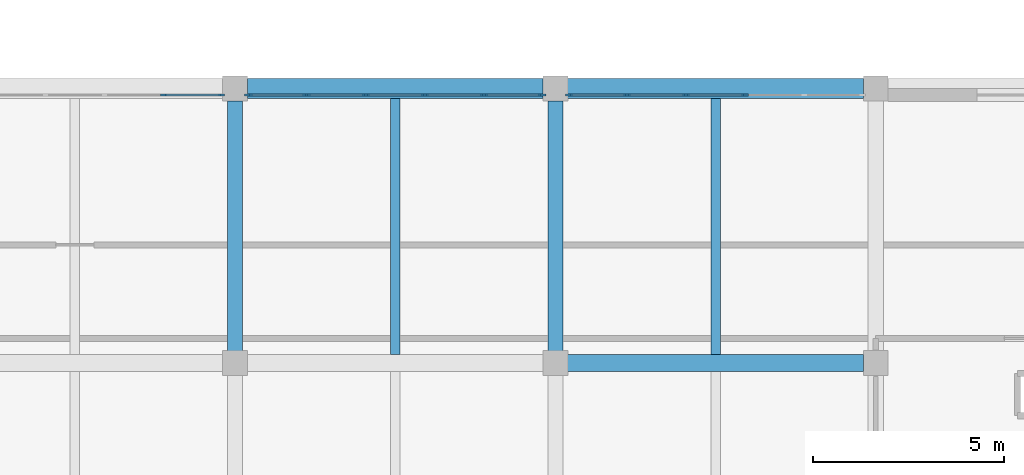
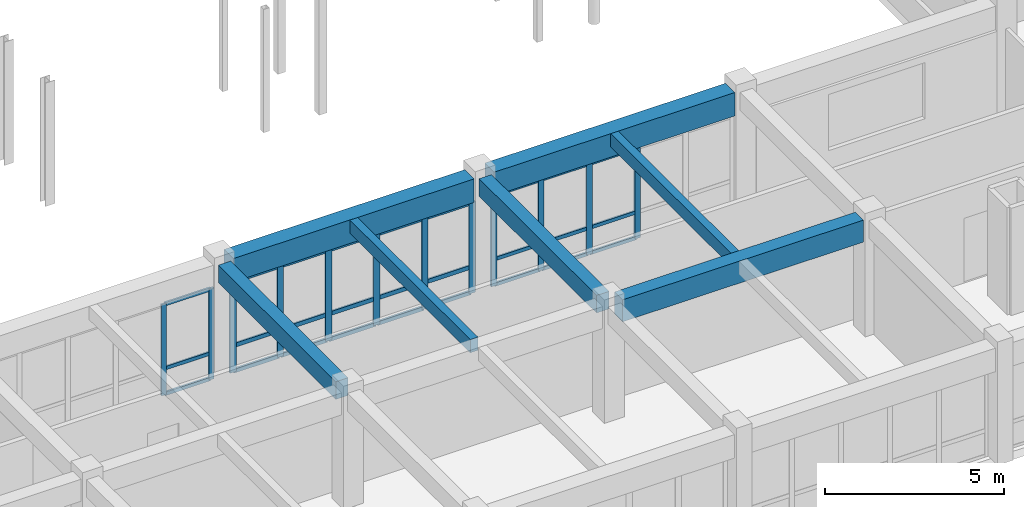
# One storey, part 60 of 147: 39 members, 7 beams, 3 elements without a shape of their own.
"""IFC4 building model written with IfcOpenShell, lengths in metres."""

from ifc_helpers import new_model, si_unit, direction, frame, origin, origin_2d, place, context, subcontext, project, spatial, rectangle, extrude, material, material_profile, profile_set, type_object, element, aggregate, save


model = new_model("IFC4")

# Units and contexts
model_context = context("Model", 3, precision=1e-05, world=origin(), true_north=direction((0.0, 1.0)))
body_context = subcontext(model_context, "Body", "Model", "MODEL_VIEW")
ifc_project = project(units=[si_unit("LENGTHUNIT", "METRE"), si_unit("AREAUNIT", "SQUARE_METRE"), si_unit("VOLUMEUNIT", "CUBIC_METRE"), si_unit("PLANEANGLEUNIT", "RADIAN"), si_unit("MASSUNIT", "GRAM", prefix="KILO")], contexts=[model_context])

# Site, building, storey
site_placement = place(None, origin())
site = spatial("IfcSite", under=ifc_project, at=site_placement, CompositionType="ELEMENT")
building_placement = place(site_placement, origin())
building = spatial("IfcBuilding", under=site, at=building_placement, Name="Malvenik Polytechnic", CompositionType="ELEMENT")
storey_placement = place(building_placement, frame((0.0, 0.0, 5.10009765625)))
storey = spatial("IfcBuildingStorey", under=building, at=storey_placement, Name="L01", CompositionType="ELEMENT", Elevation=5.10009765625)

# Curtain wall, members
ifc_material_1 = material(Name="Anodised aluminium 6060-T6", Category="aluminium")
curtain_wall_type = type_object("IfcCurtainWallType", Name="ARC-CW-CW-02", PredefinedType="NOTDEFINED", material=ifc_material_1)
curtain_wall_1_placement = place(storey_placement, origin())
curtain_wall_1 = element("IfcCurtainWall", 1, at=curtain_wall_1_placement, inside=storey, type_object=curtain_wall_type, Name="Unitised Curtain Wall CW-02 L01 #35", PredefinedType="NOTDEFINED")
ifc_material_2 = material(Name="Anodised aluminium", Category="aluminium")
ifc_material_profile_1 = material_profile(ifc_material_2, rectangle(XDim=0.06005859375, YDim=0.159912109375, at=origin_2d()), Name="ALU MULLION 60x160")
ifc_profile_set_1 = profile_set([ifc_material_profile_1], Name="Anodised aluminium")
member_type_1 = type_object("IfcMemberType", Name="ARC-CWM-160", PredefinedType="MULLION", material=ifc_profile_set_1)
member_1_placement = place(storey_placement, frame((48.526123046875, 93.429931640625, 0.0), z_axis=(0.0, 0.0, 1.0), x_axis=(0.0, 1.0, 0.0)))
member_1 = element("IfcMember", 2, at=member_1_placement, type_object=member_type_1, Name="CW-02 mullion 5", PredefinedType="MULLION", context=body_context, shape_type="SweptSolid", body=[
    extrude(rectangle(XDim=0.06005859375, YDim=0.159912109375, at=origin_2d()), origin(), (0.0, 0.0, 1.0), 3.10986328125),
])
member_2_placement = place(storey_placement, frame((50.047119140625, 93.429931640625, 0.0), z_axis=(0.0, 0.0, 1.0), x_axis=(0.0, 1.0, 0.0)))
member_2 = element("IfcMember", 3, at=member_2_placement, type_object=member_type_1, Name="CW-02 mullion 6", PredefinedType="MULLION", context=body_context, shape_type="SweptSolid", body=[
    extrude(rectangle(XDim=0.06005859375, YDim=0.159912109375, at=origin_2d()), origin(), (0.0, 0.0, 1.0), 3.10986328125),
])

curtain_wall_2_placement = place(storey_placement, origin())
curtain_wall_2 = element("IfcCurtainWall", 4, at=curtain_wall_2_placement, inside=storey, type_object=curtain_wall_type, Name="Unitised Curtain Wall CW-02 L01 #37", PredefinedType="NOTDEFINED")
ifc_material_profile_2 = material_profile(ifc_material_2, rectangle(XDim=0.06005859375, YDim=0.179931640625, at=origin_2d()), Name="ALU MULLION 60x180")
ifc_profile_set_2 = profile_set([ifc_material_profile_2], Name="Anodised aluminium")
member_type_2 = type_object("IfcMemberType", Name="ARC-CWM-180", PredefinedType="MULLION", material=ifc_profile_set_2)
member_3_placement = place(storey_placement, frame((59.153076171875, 93.429931640625, 0.0), z_axis=(0.0, 0.0, 1.0), x_axis=(0.0, 1.0, 0.0)))
member_3 = element("IfcMember", 5, at=member_3_placement, type_object=member_type_2, Name="CW-02 mullion 1", PredefinedType="MULLION", context=body_context, shape_type="SweptSolid", body=[
    extrude(rectangle(XDim=0.06005859375, YDim=0.179931640625, at=origin_2d()), origin(), (0.0, 0.0, 1.0), 3.10986328125),
])
member_4_placement = place(storey_placement, frame((60.673828125, 93.429931640625, 0.0), z_axis=(0.0, 0.0, 1.0), x_axis=(0.0, 1.0, 0.0)))
member_4 = element("IfcMember", 6, at=member_4_placement, type_object=member_type_2, Name="CW-02 mullion 2", PredefinedType="MULLION", context=body_context, shape_type="SweptSolid", body=[
    extrude(rectangle(XDim=0.06005859375, YDim=0.179931640625, at=origin_2d()), origin(), (0.0, 0.0, 1.0), 3.10986328125),
])
member_5_placement = place(storey_placement, frame((62.224609375, 93.429931640625, 0.0), z_axis=(0.0, 0.0, 1.0), x_axis=(0.0, 1.0, 0.0)))
member_5 = element("IfcMember", 7, at=member_5_placement, type_object=member_type_2, Name="CW-02 mullion 3", PredefinedType="MULLION", context=body_context, shape_type="SweptSolid", body=[
    extrude(rectangle(XDim=0.06005859375, YDim=0.179931640625, at=origin_2d()), origin(), (0.0, 0.0, 1.0), 3.10986328125),
])
member_6_placement = place(storey_placement, frame((63.775390625, 93.429931640625, 0.0), z_axis=(0.0, 0.0, 1.0), x_axis=(0.0, 1.0, 0.0)))
member_6 = element("IfcMember", 8, at=member_6_placement, type_object=member_type_2, Name="CW-02 mullion 4", PredefinedType="MULLION", context=body_context, shape_type="SweptSolid", body=[
    extrude(rectangle(XDim=0.06005859375, YDim=0.179931640625, at=origin_2d()), origin(), (0.0, 0.0, 1.0), 3.10986328125),
])

curtain_wall_3_placement = place(storey_placement, origin())
curtain_wall_3 = element("IfcCurtainWall", 9, at=curtain_wall_3_placement, inside=storey, type_object=curtain_wall_type, Name="Unitised Curtain Wall CW-02 L01 #36", PredefinedType="NOTDEFINED")
ifc_material_profile_3 = material_profile(ifc_material_2, rectangle(XDim=0.06005859375, YDim=0.199951171875, at=origin_2d()), Name="ALU MULLION 60x200")
ifc_profile_set_3 = profile_set([ifc_material_profile_3], Name="Anodised aluminium")
member_type_3 = type_object("IfcMemberType", Name="ARC-CWM-200", PredefinedType="MULLION", material=ifc_profile_set_3)
member_7_placement = place(storey_placement, frame((50.7529296875, 93.429931640625, 0.0), z_axis=(0.0, 0.0, 1.0), x_axis=(0.0, 1.0, 0.0)))
member_7 = element("IfcMember", 10, at=member_7_placement, type_object=member_type_3, Name="CW-02 mullion 1", PredefinedType="MULLION", context=body_context, shape_type="SweptSolid", body=[
    extrude(rectangle(XDim=0.06005859375, YDim=0.199951171875, at=origin_2d()), origin(), (0.0, 0.0, 1.0), 3.10986328125),
])
member_8_placement = place(storey_placement, frame((52.273681640625, 93.429931640625, 0.0), z_axis=(0.0, 0.0, 1.0), x_axis=(0.0, 1.0, 0.0)))
member_8 = element("IfcMember", 11, at=member_8_placement, type_object=member_type_3, Name="CW-02 mullion 2", PredefinedType="MULLION", context=body_context, shape_type="SweptSolid", body=[
    extrude(rectangle(XDim=0.06005859375, YDim=0.199951171875, at=origin_2d()), origin(), (0.0, 0.0, 1.0), 3.10986328125),
])
member_9_placement = place(storey_placement, frame((53.82470703125, 93.429931640625, 0.0), z_axis=(0.0, 0.0, 1.0), x_axis=(0.0, 1.0, 0.0)))
member_9 = element("IfcMember", 12, at=member_9_placement, type_object=member_type_3, Name="CW-02 mullion 3", PredefinedType="MULLION", context=body_context, shape_type="SweptSolid", body=[
    extrude(rectangle(XDim=0.06005859375, YDim=0.199951171875, at=origin_2d()), origin(), (0.0, 0.0, 1.0), 3.10986328125),
])
member_10_placement = place(storey_placement, frame((55.37548828125, 93.429931640625, 0.0), z_axis=(0.0, 0.0, 1.0), x_axis=(0.0, 1.0, 0.0)))
member_10 = element("IfcMember", 13, at=member_10_placement, type_object=member_type_3, Name="CW-02 mullion 4", PredefinedType="MULLION", context=body_context, shape_type="SweptSolid", body=[
    extrude(rectangle(XDim=0.06005859375, YDim=0.199951171875, at=origin_2d()), origin(), (0.0, 0.0, 1.0), 3.10986328125),
])
member_11_placement = place(storey_placement, frame((56.92626953125, 93.429931640625, 0.0), z_axis=(0.0, 0.0, 1.0), x_axis=(0.0, 1.0, 0.0)))
member_11 = element("IfcMember", 14, at=member_11_placement, type_object=member_type_3, Name="CW-02 mullion 5", PredefinedType="MULLION", context=body_context, shape_type="SweptSolid", body=[
    extrude(rectangle(XDim=0.06005859375, YDim=0.199951171875, at=origin_2d()), origin(), (0.0, 0.0, 1.0), 3.10986328125),
])
member_12_placement = place(storey_placement, frame((58.447021484375, 93.429931640625, 0.0), z_axis=(0.0, 0.0, 1.0), x_axis=(0.0, 1.0, 0.0)))
member_12 = element("IfcMember", 15, at=member_12_placement, type_object=member_type_3, Name="CW-02 mullion 6", PredefinedType="MULLION", context=body_context, shape_type="SweptSolid", body=[
    extrude(rectangle(XDim=0.06005859375, YDim=0.199951171875, at=origin_2d()), origin(), (0.0, 0.0, 1.0), 3.10986328125),
])

# Member
ifc_material_profile_4 = material_profile(ifc_material_2, rectangle(XDim=0.06005859375, YDim=0.1201171875, at=origin_2d()), Name="ALU TRANSOM 60x120")
ifc_profile_set_4 = profile_set([ifc_material_profile_4], Name="Anodised aluminium")
member_type_4 = type_object("IfcMemberType", Name="ARC-CWT-120", PredefinedType="USERDEFINED", material=ifc_profile_set_4)
member_13_placement = place(storey_placement, frame((48.55615234375, 93.429931640625, 0.02978515625), z_axis=(1.0, 0.0, 0.0), x_axis=(0.0, 1.0, 0.0)))
member_13 = element("IfcMember", 16, at=member_13_placement, type_object=member_type_4, Name="CW-02 transom 5.1", ObjectType="TRANSOM", PredefinedType="USERDEFINED", context=body_context, shape_type="SweptSolid", body=[
    extrude(rectangle(XDim=0.06005859375, YDim=0.1201171875, at=origin_2d()), origin(), (0.0, 0.0, 1.0), 1.4609375),
])

member_14_placement = place(storey_placement, frame((48.55615234375, 93.429931640625, 0.89990234375), z_axis=(1.0, 0.0, 0.0), x_axis=(0.0, 1.0, 0.0)))
member_14 = element("IfcMember", 17, at=member_14_placement, type_object=member_type_4, Name="CW-02 transom 5.2", ObjectType="TRANSOM", PredefinedType="USERDEFINED", context=body_context, shape_type="SweptSolid", body=[
    extrude(rectangle(XDim=0.06005859375, YDim=0.1201171875, at=origin_2d()), origin(), (0.0, 0.0, 1.0), 1.4609375),
])

member_15_placement = place(storey_placement, frame((48.55615234375, 93.429931640625, 3.079833984375), z_axis=(1.0, 0.0, 0.0), x_axis=(0.0, 1.0, 0.0)))
member_15 = element("IfcMember", 18, at=member_15_placement, type_object=member_type_4, Name="CW-02 transom 5.3", ObjectType="TRANSOM", PredefinedType="USERDEFINED", context=body_context, shape_type="SweptSolid", body=[
    extrude(rectangle(XDim=0.06005859375, YDim=0.1201171875, at=origin_2d()), origin(), (0.0, 0.0, 1.0), 1.4609375),
])

aggregate(curtain_wall_1, [member_1, member_2, member_13, member_14, member_15])

member_16_placement = place(storey_placement, frame((59.18310546875, 93.429931640625, 0.02978515625), z_axis=(1.0, 0.0, 0.0), x_axis=(0.0, 1.0, 0.0)))
member_16 = element("IfcMember", 19, at=member_16_placement, type_object=member_type_4, Name="CW-02 transom 1.1", ObjectType="TRANSOM", PredefinedType="USERDEFINED", context=body_context, shape_type="SweptSolid", body=[
    extrude(rectangle(XDim=0.06005859375, YDim=0.1201171875, at=origin_2d()), origin(), (0.0, 0.0, 1.0), 1.460693359375),
])

member_17_placement = place(storey_placement, frame((59.18310546875, 93.429931640625, 0.89990234375), z_axis=(1.0, 0.0, 0.0), x_axis=(0.0, 1.0, 0.0)))
member_17 = element("IfcMember", 20, at=member_17_placement, type_object=member_type_4, Name="CW-02 transom 1.2", ObjectType="TRANSOM", PredefinedType="USERDEFINED", context=body_context, shape_type="SweptSolid", body=[
    extrude(rectangle(XDim=0.06005859375, YDim=0.1201171875, at=origin_2d()), origin(), (0.0, 0.0, 1.0), 1.460693359375),
])

member_18_placement = place(storey_placement, frame((59.18310546875, 93.429931640625, 3.079833984375), z_axis=(1.0, 0.0, 0.0), x_axis=(0.0, 1.0, 0.0)))
member_18 = element("IfcMember", 21, at=member_18_placement, type_object=member_type_4, Name="CW-02 transom 1.3", ObjectType="TRANSOM", PredefinedType="USERDEFINED", context=body_context, shape_type="SweptSolid", body=[
    extrude(rectangle(XDim=0.06005859375, YDim=0.1201171875, at=origin_2d()), origin(), (0.0, 0.0, 1.0), 1.460693359375),
])

member_19_placement = place(storey_placement, frame((60.703857421875, 93.429931640625, 0.02978515625), z_axis=(1.0, 0.0, 0.0), x_axis=(0.0, 1.0, 0.0)))
member_19 = element("IfcMember", 22, at=member_19_placement, type_object=member_type_4, Name="CW-02 transom 2.1", ObjectType="TRANSOM", PredefinedType="USERDEFINED", context=body_context, shape_type="SweptSolid", body=[
    extrude(rectangle(XDim=0.06005859375, YDim=0.1201171875, at=origin_2d()), origin(), (0.0, 0.0, 1.0), 1.49072265625),
])

member_20_placement = place(storey_placement, frame((60.703857421875, 93.429931640625, 0.89990234375), z_axis=(1.0, 0.0, 0.0), x_axis=(0.0, 1.0, 0.0)))
member_20 = element("IfcMember", 23, at=member_20_placement, type_object=member_type_4, Name="CW-02 transom 2.2", ObjectType="TRANSOM", PredefinedType="USERDEFINED", context=body_context, shape_type="SweptSolid", body=[
    extrude(rectangle(XDim=0.06005859375, YDim=0.1201171875, at=origin_2d()), origin(), (0.0, 0.0, 1.0), 1.49072265625),
])

member_21_placement = place(storey_placement, frame((60.703857421875, 93.429931640625, 3.079833984375), z_axis=(1.0, 0.0, 0.0), x_axis=(0.0, 1.0, 0.0)))
member_21 = element("IfcMember", 24, at=member_21_placement, type_object=member_type_4, Name="CW-02 transom 2.3", ObjectType="TRANSOM", PredefinedType="USERDEFINED", context=body_context, shape_type="SweptSolid", body=[
    extrude(rectangle(XDim=0.06005859375, YDim=0.1201171875, at=origin_2d()), origin(), (0.0, 0.0, 1.0), 1.49072265625),
])

member_22_placement = place(storey_placement, frame((62.254638671875, 93.429931640625, 0.02978515625), z_axis=(1.0, 0.0, 0.0), x_axis=(0.0, 1.0, 0.0)))
member_22 = element("IfcMember", 25, at=member_22_placement, type_object=member_type_4, Name="CW-02 transom 3.1", ObjectType="TRANSOM", PredefinedType="USERDEFINED", context=body_context, shape_type="SweptSolid", body=[
    extrude(rectangle(XDim=0.06005859375, YDim=0.1201171875, at=origin_2d()), origin(), (0.0, 0.0, 1.0), 1.49072265625),
])

member_23_placement = place(storey_placement, frame((62.254638671875, 93.429931640625, 0.89990234375), z_axis=(1.0, 0.0, 0.0), x_axis=(0.0, 1.0, 0.0)))
member_23 = element("IfcMember", 26, at=member_23_placement, type_object=member_type_4, Name="CW-02 transom 3.2", ObjectType="TRANSOM", PredefinedType="USERDEFINED", context=body_context, shape_type="SweptSolid", body=[
    extrude(rectangle(XDim=0.06005859375, YDim=0.1201171875, at=origin_2d()), origin(), (0.0, 0.0, 1.0), 1.49072265625),
])

member_24_placement = place(storey_placement, frame((62.254638671875, 93.429931640625, 3.079833984375), z_axis=(1.0, 0.0, 0.0), x_axis=(0.0, 1.0, 0.0)))
member_24 = element("IfcMember", 27, at=member_24_placement, type_object=member_type_4, Name="CW-02 transom 3.3", ObjectType="TRANSOM", PredefinedType="USERDEFINED", context=body_context, shape_type="SweptSolid", body=[
    extrude(rectangle(XDim=0.06005859375, YDim=0.1201171875, at=origin_2d()), origin(), (0.0, 0.0, 1.0), 1.49072265625),
])

aggregate(curtain_wall_2, [member_3, member_4, member_5, member_6, member_16, member_17, member_18, member_19, member_20, member_21, member_22, member_23, member_24])

ifc_material_profile_5 = material_profile(ifc_material_2, rectangle(XDim=0.06005859375, YDim=0.139892578125, at=origin_2d()), Name="ALU TRANSOM 60x140")
ifc_profile_set_5 = profile_set([ifc_material_profile_5], Name="Anodised aluminium")
member_type_5 = type_object("IfcMemberType", Name="ARC-CWT-140", PredefinedType="USERDEFINED", material=ifc_profile_set_5)
member_25_placement = place(storey_placement, frame((50.782958984375, 93.429931640625, 0.02978515625), z_axis=(1.0, 0.0, 0.0), x_axis=(0.0, 1.0, 0.0)))
member_25 = element("IfcMember", 28, at=member_25_placement, type_object=member_type_5, Name="CW-02 transom 1.1", ObjectType="TRANSOM", PredefinedType="USERDEFINED", context=body_context, shape_type="SweptSolid", body=[
    extrude(rectangle(XDim=0.06005859375, YDim=0.139892578125, at=origin_2d()), origin(), (0.0, 0.0, 1.0), 1.4609375),
])

member_26_placement = place(storey_placement, frame((50.782958984375, 93.429931640625, 0.89990234375), z_axis=(1.0, 0.0, 0.0), x_axis=(0.0, 1.0, 0.0)))
member_26 = element("IfcMember", 29, at=member_26_placement, type_object=member_type_5, Name="CW-02 transom 1.2", ObjectType="TRANSOM", PredefinedType="USERDEFINED", context=body_context, shape_type="SweptSolid", body=[
    extrude(rectangle(XDim=0.06005859375, YDim=0.139892578125, at=origin_2d()), origin(), (0.0, 0.0, 1.0), 1.4609375),
])

member_27_placement = place(storey_placement, frame((50.782958984375, 93.429931640625, 3.079833984375), z_axis=(1.0, 0.0, 0.0), x_axis=(0.0, 1.0, 0.0)))
member_27 = element("IfcMember", 30, at=member_27_placement, type_object=member_type_5, Name="CW-02 transom 1.3", ObjectType="TRANSOM", PredefinedType="USERDEFINED", context=body_context, shape_type="SweptSolid", body=[
    extrude(rectangle(XDim=0.06005859375, YDim=0.139892578125, at=origin_2d()), origin(), (0.0, 0.0, 1.0), 1.4609375),
])

member_28_placement = place(storey_placement, frame((52.3037109375, 93.429931640625, 0.02978515625), z_axis=(1.0, 0.0, 0.0), x_axis=(0.0, 1.0, 0.0)))
member_28 = element("IfcMember", 31, at=member_28_placement, type_object=member_type_5, Name="CW-02 transom 2.1", ObjectType="TRANSOM", PredefinedType="USERDEFINED", context=body_context, shape_type="SweptSolid", body=[
    extrude(rectangle(XDim=0.06005859375, YDim=0.139892578125, at=origin_2d()), origin(), (0.0, 0.0, 1.0), 1.490966796875),
])

member_29_placement = place(storey_placement, frame((52.3037109375, 93.429931640625, 0.89990234375), z_axis=(1.0, 0.0, 0.0), x_axis=(0.0, 1.0, 0.0)))
member_29 = element("IfcMember", 32, at=member_29_placement, type_object=member_type_5, Name="CW-02 transom 2.2", ObjectType="TRANSOM", PredefinedType="USERDEFINED", context=body_context, shape_type="SweptSolid", body=[
    extrude(rectangle(XDim=0.06005859375, YDim=0.139892578125, at=origin_2d()), origin(), (0.0, 0.0, 1.0), 1.490966796875),
])

member_30_placement = place(storey_placement, frame((52.3037109375, 93.429931640625, 3.079833984375), z_axis=(1.0, 0.0, 0.0), x_axis=(0.0, 1.0, 0.0)))
member_30 = element("IfcMember", 33, at=member_30_placement, type_object=member_type_5, Name="CW-02 transom 2.3", ObjectType="TRANSOM", PredefinedType="USERDEFINED", context=body_context, shape_type="SweptSolid", body=[
    extrude(rectangle(XDim=0.06005859375, YDim=0.139892578125, at=origin_2d()), origin(), (0.0, 0.0, 1.0), 1.490966796875),
])

member_31_placement = place(storey_placement, frame((53.8544921875, 93.429931640625, 0.02978515625), z_axis=(1.0, 0.0, 0.0), x_axis=(0.0, 1.0, 0.0)))
member_31 = element("IfcMember", 34, at=member_31_placement, type_object=member_type_5, Name="CW-02 transom 3.1", ObjectType="TRANSOM", PredefinedType="USERDEFINED", context=body_context, shape_type="SweptSolid", body=[
    extrude(rectangle(XDim=0.06005859375, YDim=0.139892578125, at=origin_2d()), origin(), (0.0, 0.0, 1.0), 1.490966796875),
])

member_32_placement = place(storey_placement, frame((53.8544921875, 93.429931640625, 0.89990234375), z_axis=(1.0, 0.0, 0.0), x_axis=(0.0, 1.0, 0.0)))
member_32 = element("IfcMember", 35, at=member_32_placement, type_object=member_type_5, Name="CW-02 transom 3.2", ObjectType="TRANSOM", PredefinedType="USERDEFINED", context=body_context, shape_type="SweptSolid", body=[
    extrude(rectangle(XDim=0.06005859375, YDim=0.139892578125, at=origin_2d()), origin(), (0.0, 0.0, 1.0), 1.490966796875),
])

member_33_placement = place(storey_placement, frame((53.8544921875, 93.429931640625, 3.079833984375), z_axis=(1.0, 0.0, 0.0), x_axis=(0.0, 1.0, 0.0)))
member_33 = element("IfcMember", 36, at=member_33_placement, type_object=member_type_5, Name="CW-02 transom 3.3", ObjectType="TRANSOM", PredefinedType="USERDEFINED", context=body_context, shape_type="SweptSolid", body=[
    extrude(rectangle(XDim=0.06005859375, YDim=0.139892578125, at=origin_2d()), origin(), (0.0, 0.0, 1.0), 1.490966796875),
])

member_34_placement = place(storey_placement, frame((55.405517578125, 93.429931640625, 0.02978515625), z_axis=(1.0, 0.0, 0.0), x_axis=(0.0, 1.0, 0.0)))
member_34 = element("IfcMember", 37, at=member_34_placement, type_object=member_type_5, Name="CW-02 transom 4.1", ObjectType="TRANSOM", PredefinedType="USERDEFINED", context=body_context, shape_type="SweptSolid", body=[
    extrude(rectangle(XDim=0.06005859375, YDim=0.139892578125, at=origin_2d()), origin(), (0.0, 0.0, 1.0), 1.49072265625),
])

member_35_placement = place(storey_placement, frame((55.405517578125, 93.429931640625, 0.89990234375), z_axis=(1.0, 0.0, 0.0), x_axis=(0.0, 1.0, 0.0)))
member_35 = element("IfcMember", 38, at=member_35_placement, type_object=member_type_5, Name="CW-02 transom 4.2", ObjectType="TRANSOM", PredefinedType="USERDEFINED", context=body_context, shape_type="SweptSolid", body=[
    extrude(rectangle(XDim=0.06005859375, YDim=0.139892578125, at=origin_2d()), origin(), (0.0, 0.0, 1.0), 1.49072265625),
])

member_36_placement = place(storey_placement, frame((55.405517578125, 93.429931640625, 3.079833984375), z_axis=(1.0, 0.0, 0.0), x_axis=(0.0, 1.0, 0.0)))
member_36 = element("IfcMember", 39, at=member_36_placement, type_object=member_type_5, Name="CW-02 transom 4.3", ObjectType="TRANSOM", PredefinedType="USERDEFINED", context=body_context, shape_type="SweptSolid", body=[
    extrude(rectangle(XDim=0.06005859375, YDim=0.139892578125, at=origin_2d()), origin(), (0.0, 0.0, 1.0), 1.49072265625),
])

member_37_placement = place(storey_placement, frame((56.956298828125, 93.429931640625, 0.02978515625), z_axis=(1.0, 0.0, 0.0), x_axis=(0.0, 1.0, 0.0)))
member_37 = element("IfcMember", 40, at=member_37_placement, type_object=member_type_5, Name="CW-02 transom 5.1", ObjectType="TRANSOM", PredefinedType="USERDEFINED", context=body_context, shape_type="SweptSolid", body=[
    extrude(rectangle(XDim=0.06005859375, YDim=0.139892578125, at=origin_2d()), origin(), (0.0, 0.0, 1.0), 1.460693359375),
])

member_38_placement = place(storey_placement, frame((56.956298828125, 93.429931640625, 0.89990234375), z_axis=(1.0, 0.0, 0.0), x_axis=(0.0, 1.0, 0.0)))
member_38 = element("IfcMember", 41, at=member_38_placement, type_object=member_type_5, Name="CW-02 transom 5.2", ObjectType="TRANSOM", PredefinedType="USERDEFINED", context=body_context, shape_type="SweptSolid", body=[
    extrude(rectangle(XDim=0.06005859375, YDim=0.139892578125, at=origin_2d()), origin(), (0.0, 0.0, 1.0), 1.460693359375),
])

member_39_placement = place(storey_placement, frame((56.956298828125, 93.429931640625, 3.079833984375), z_axis=(1.0, 0.0, 0.0), x_axis=(0.0, 1.0, 0.0)))
member_39 = element("IfcMember", 42, at=member_39_placement, type_object=member_type_5, Name="CW-02 transom 5.3", ObjectType="TRANSOM", PredefinedType="USERDEFINED", context=body_context, shape_type="SweptSolid", body=[
    extrude(rectangle(XDim=0.06005859375, YDim=0.139892578125, at=origin_2d()), origin(), (0.0, 0.0, 1.0), 1.460693359375),
])

aggregate(curtain_wall_3, [member_7, member_8, member_9, member_10, member_11, member_12, member_25, member_26, member_27, member_28, member_29, member_30, member_31, member_32, member_33, member_34, member_35, member_36, member_37, member_38, member_39])

# Beams
ifc_material_3 = material(Name="Concrete C35/45", Category="concrete")
ifc_material_profile_6 = material_profile(ifc_material_3, rectangle(XDim=0.449951171875, YDim=0.75, at=origin_2d()), Name="RC BM 450x750")
ifc_profile_set_6 = profile_set([ifc_material_profile_6], Name="Concrete C35/45")
beam_type_1 = type_object("IfcBeamType", Name="STR-BM-B-03", PredefinedType="BEAM", material=ifc_profile_set_6)
beam_1_placement = place(storey_placement, frame((59.123046875, 86.39990234375, 3.544921875), z_axis=(1.0, 0.0, 0.0), x_axis=(0.0, 1.0, 0.0)))
element("IfcBeam", 43, at=beam_1_placement, inside=storey, type_object=beam_type_1, Name="Primary Beam B-03 L01 #1062", PredefinedType="BEAM", context=body_context, shape_type="SweptSolid", body=[
    extrude(rectangle(XDim=0.449951171875, YDim=0.75, at=origin_2d()), origin(), (0.0, 0.0, 1.0), 7.75390625),
])
ifc_material_profile_7 = material_profile(ifc_material_3, rectangle(XDim=0.39990234375, YDim=0.60009765625, at=origin_2d()), Name="RC BM 400x600")
ifc_profile_set_7 = profile_set([ifc_material_profile_7], Name="Concrete C35/45")
beam_type_2 = type_object("IfcBeamType", Name="STR-BM-B-06", PredefinedType="BEAM", material=ifc_profile_set_7)
for number, where, z_axis, x_axis, name in (
    (44, (50.39990234375, 86.722900390625, 3.619873046875), (0.0, 1.0, 0.0), (-1.0, 0.0, 0.0), "Transverse Beam B-06 L01 #1164"),
    (45, (58.800048828125, 86.722900390625, 3.619873046875), (0.0, 1.0, 0.0), (-1.0, 0.0, 0.0), "Transverse Beam B-06 L01 #1170"),
):
    element("IfcBeam", number, at=place(storey_placement, frame(where, z_axis=z_axis, x_axis=x_axis)), inside=storey, type_object=beam_type_2, Name=name, PredefinedType="BEAM", context=body_context, shape_type="SweptSolid", body=[
        extrude(rectangle(XDim=0.39990234375, YDim=0.60009765625, at=origin_2d()), origin(), (0.0, 0.0, 1.0), 6.55419921875),
    ])
ifc_material_4 = material(Name="Concrete C30/37", Category="concrete")
ifc_material_profile_8 = material_profile(ifc_material_4, rectangle(XDim=0.25, YDim=0.449951171875, at=origin_2d()), Name="RC JST 250x450")
ifc_profile_set_8 = profile_set([ifc_material_profile_8], Name="Concrete C30/37")
beam_type_3 = type_object("IfcBeamType", Name="STR-BM-J-02", PredefinedType="JOIST", material=ifc_profile_set_8)
for number, where, z_axis, x_axis, name in (
    (46, (54.60009765625, 86.623046875, 3.69482421875), (0.0, 1.0, 0.0), (-1.0, 0.0, 0.0), "Secondary Rib Joist J-02 L01 #1276"),
    (47, (63.0, 86.623046875, 3.69482421875), (0.0, 1.0, 0.0), (-1.0, 0.0, 0.0), "Secondary Rib Joist J-02 L01 #1280"),
):
    element("IfcBeam", number, at=place(storey_placement, frame(where, z_axis=z_axis, x_axis=x_axis)), inside=storey, type_object=beam_type_3, Name=name, PredefinedType="JOIST", context=body_context, shape_type="SweptSolid", body=[
        extrude(rectangle(XDim=0.25, YDim=0.449951171875, at=origin_2d()), origin(), (0.0, 0.0, 1.0), 6.718994140625),
    ])
ifc_material_5 = material(Name="Precast concrete C40/50", Category="concrete")
ifc_material_profile_9 = material_profile(ifc_material_5, rectangle(XDim=0.52001953125, YDim=0.800048828125, at=origin_2d()), Name="PC SPN 520x800")
ifc_profile_set_9 = profile_set([ifc_material_profile_9], Name="Precast concrete C40/50")
beam_type_4 = type_object("IfcBeamType", Name="STR-BM-SP-01", PredefinedType="SPANDREL", material=ifc_profile_set_9)
beam_2_placement = place(storey_placement, frame((50.722900390625, 93.60009765625, 3.52001953125), z_axis=(1.0, 0.0, 0.0), x_axis=(0.0, 1.0, 0.0)))
element("IfcBeam", 48, at=beam_2_placement, inside=storey, type_object=beam_type_4, Name="Primary Beam SP-01 L01 #1075", PredefinedType="SPANDREL", context=body_context, shape_type="SweptSolid", body=[
    extrude(rectangle(XDim=0.52001953125, YDim=0.800048828125, at=origin_2d()), origin(), (0.0, 0.0, 1.0), 7.754150390625),
])
beam_3_placement = place(storey_placement, frame((59.123046875, 93.60009765625, 3.52001953125), z_axis=(1.0, 0.0, 0.0), x_axis=(0.0, 1.0, 0.0)))
element("IfcBeam", 49, at=beam_3_placement, inside=storey, type_object=beam_type_4, Name="Primary Beam SP-01 L01 #1076", PredefinedType="SPANDREL", context=body_context, shape_type="SweptSolid", body=[
    extrude(rectangle(XDim=0.52001953125, YDim=0.800048828125, at=origin_2d()), origin(), (0.0, 0.0, 1.0), 7.75390625),
])

save(model, "model.ifc")
